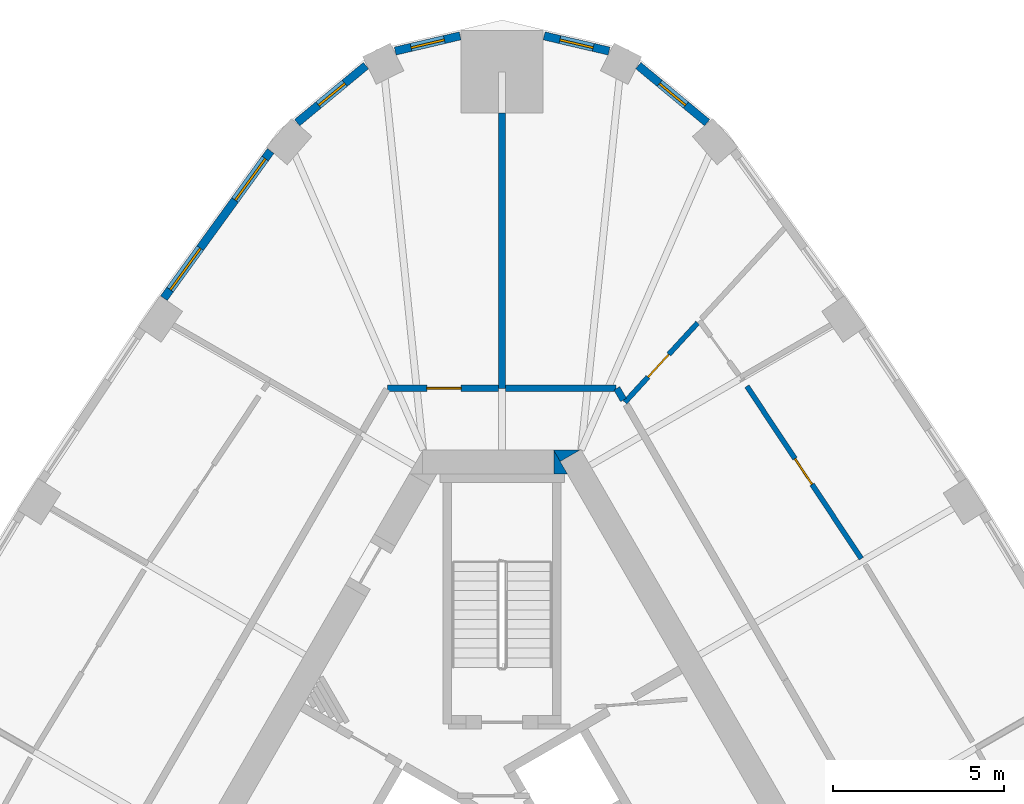
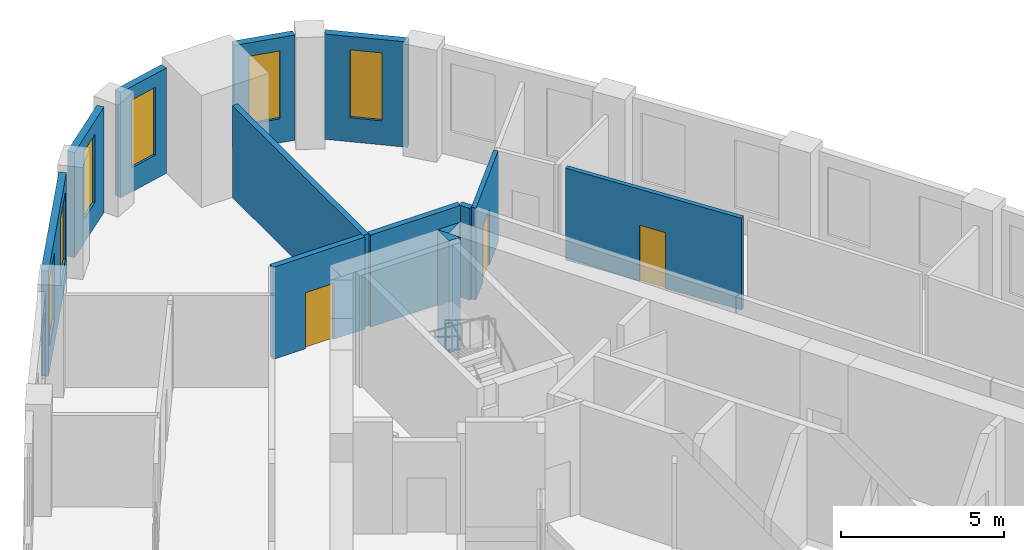
# One storey, part 8 of 11: 13 walls, 6 windows, 3 doors, 9 openings.
"""IFC4 building model written with IfcOpenShell, lengths in metres."""

from ifc_helpers import new_model, si_unit, direction, frame, frame_2d, origin, place, context, subcontext, project, spatial, polyline, rectangle, outline, extrude, material, layer, layer_set, type_object, element, fill, save


model = new_model("IFC4")

# Units and contexts
model_context = context("Model", 3, precision=1e-05, world=origin(), true_north=direction((0.0, 1.0)))
body_context = subcontext(model_context, "Body", "Model", "MODEL_VIEW")
ifc_project = project(units=[si_unit("LENGTHUNIT", "METRE"), si_unit("AREAUNIT", "SQUARE_METRE"), si_unit("VOLUMEUNIT", "CUBIC_METRE"), si_unit("PLANEANGLEUNIT", "RADIAN"), si_unit("MASSUNIT", "GRAM", prefix="KILO")], contexts=[model_context])

# Site, building, storey
site_placement = place(None, origin())
site = spatial("IfcSite", under=ifc_project, at=site_placement, CompositionType="ELEMENT")
building_placement = place(site_placement, origin())
building = spatial("IfcBuilding", under=site, at=building_placement, Name="Mestral Congress Tower", CompositionType="ELEMENT")
storey_placement = place(building_placement, frame((0.0, 0.0, 201.60009765625)))
storey = spatial("IfcBuildingStorey", under=building, at=storey_placement, Name="L47", CompositionType="ELEMENT", Elevation=201.60009765625)

# Walls
ifc_material_1 = material(Name="Concrete C60/75", Category="concrete")
ifc_layer_1 = layer(ifc_material_1, 0.699951171875)
ifc_layer_set_1 = layer_set([ifc_layer_1], Name="Concrete C60/75")
wall_type_1 = type_object("IfcWallType", Name="Core wall RC 700", PredefinedType="SOLIDWALL", material=ifc_layer_set_1)
placement = place(storey_placement, origin())
element("IfcWall", 1, at=placement, inside=storey, type_object=wall_type_1, Name="L47 core wall", PredefinedType="SOLIDWALL", context=body_context, shape_type="SweptSolid", body=[
    extrude(outline(polyline([(1.501220703125, 16.699951171875), (2.277099609375, 16.699951171875), (1.695068359375, 16.364013671875), (1.501220703125, 16.699951171875)])), origin(), (0.0, 0.0, 1.0), 4.199951171875),
])
element("IfcWall", 2, at=placement, inside=storey, type_object=wall_type_1, Name="L47 core wall", PredefinedType="SOLIDWALL", context=body_context, shape_type="SweptSolid", body=[
    extrude(outline(polyline([(1.9052734375, 16.0), (1.50732421875, 16.0), (1.50732421875, 16.689208984375), (1.9052734375, 16.0)])), origin(), (0.0, 0.0, 1.0), 4.199951171875),
])

# Wall, opening, window
ifc_material_2 = material(Name="Precast concrete C40/50 with limestone facing", Category="masonry")
ifc_layer_2 = layer(ifc_material_2, 0.239990234375)
ifc_layer_set_2 = layer_set([ifc_layer_2], Name="Precast concrete C40/50 with limestone facing")
wall_type_2 = type_object("IfcWallType", Name="Facade stone wall 240", PredefinedType="SOLIDWALL", material=ifc_layer_set_2)
wall_3_placement = place(storey_placement, frame((5.986572265625, 26.259033203125, 0.0), z_axis=(0.0, 0.0, 1.0), x_axis=(-0.769990037733, 0.638055908045, 0.0)))
wall_3 = element("IfcWall", 3, at=wall_3_placement, inside=storey, type_object=wall_type_2, Name="Facade wall K1-0", PredefinedType="SOLIDWALL", context=body_context, shape_type="SweptSolid", body=[
    extrude(rectangle(XDim=2.609130859375, YDim=0.239990234375, at=frame_2d((1.3046875, 0.0))), origin(), (0.0, 0.0, 1.0), 3.949951171875),
])
opening_1_placement = place(wall_3_placement, frame((0.8046875, 0.0, 0.89990234375)))
opening_1 = element("IfcOpeningElement", 4, at=opening_1_placement, cuts=wall_3, Name="Opening W5", PredefinedType="OPENING", context=body_context, shape_type="SweptSolid", body=[
    extrude(rectangle(XDim=1.0, YDim=2.550048828125, at=frame_2d((0.5, 1.27490234375))), frame((0.0, 0.1298828125, 0.0), z_axis=(0.0, -1.0, 0.0), x_axis=(1.0, 0.0, 0.0)), (0.0, 0.0, 1.0), 0.260009765625),
])
ifc_material_3 = material(Name="Clear low-emissivity double glazing", Category="glass")
window_type_1 = type_object("IfcWindowType", Name="Facade punched window 1000 x 2550 sill 900", PartitioningType="SINGLE_PANEL", PredefinedType="WINDOW", material=ifc_material_3)
window_1_placement = place(opening_1_placement, origin())
window_1 = element("IfcWindow", 5, at=window_1_placement, inside=storey, type_object=window_type_1, Name="Window K1-0", OverallHeight=2.550048828125, OverallWidth=1.0, PartitioningType="SINGLE_PANEL", PredefinedType="WINDOW", context=body_context, shape_type="SweptSolid", body=[
    extrude(rectangle(XDim=1.0, YDim=2.550048828125, at=frame_2d((0.5, 1.27490234375))), frame((0.0, 0.0400390625, 0.0), z_axis=(0.0, -1.0, 0.0), x_axis=(1.0, 0.0, 0.0)), (0.0, 0.0, 1.0), 0.06005859375),
])
fill(opening_1, window_1)

wall_4_placement = place(storey_placement, frame((3.123046875, 28.3486328125, 0.0), z_axis=(0.0, 0.0, 1.0), x_axis=(-0.973515706272, 0.228620142686, 0.0)))
wall_4 = element("IfcWall", 6, at=wall_4_placement, inside=storey, type_object=wall_type_2, Name="Facade wall K1-1", PredefinedType="SOLIDWALL", context=body_context, shape_type="SweptSolid", body=[
    extrude(rectangle(XDim=1.94775390625, YDim=0.239990234375, at=frame_2d((0.973876953125, 0.0))), origin(), (0.0, 0.0, 1.0), 3.949951171875),
])
opening_2_placement = place(wall_4_placement, frame((0.47412109375, 0.0, 0.89990234375)))
opening_2 = element("IfcOpeningElement", 7, at=opening_2_placement, cuts=wall_4, Name="Opening W5", PredefinedType="OPENING", context=body_context, shape_type="SweptSolid", body=[
    extrude(rectangle(XDim=1.0, YDim=2.550048828125, at=frame_2d((0.5, 1.27490234375))), frame((0.0, 0.1298828125, 0.0), z_axis=(0.0, -1.0, 0.0), x_axis=(1.0, 0.0, 0.0)), (0.0, 0.0, 1.0), 0.260009765625),
])
window_2_placement = place(opening_2_placement, origin())
window_2 = element("IfcWindow", 8, at=window_2_placement, inside=storey, type_object=window_type_1, Name="Window K1-1", OverallHeight=2.550048828125, OverallWidth=1.0, PartitioningType="SINGLE_PANEL", PredefinedType="WINDOW", context=body_context, shape_type="SweptSolid", body=[
    extrude(rectangle(XDim=1.0, YDim=2.550048828125, at=frame_2d((0.5, 1.27490234375))), frame((0.0, 0.0400390625, 0.0), z_axis=(0.0, -1.0, 0.0), x_axis=(1.0, 0.0, 0.0)), (0.0, 0.0, 1.0), 0.06005859375),
])
fill(opening_2, window_2)

wall_5_placement = place(storey_placement, frame((-1.226806640625, 28.7939453125, 0.0), z_axis=(0.0, 0.0, 1.0), x_axis=(-0.973515706272, -0.228620142686, 0.0)))
wall_5 = element("IfcWall", 9, at=wall_5_placement, inside=storey, type_object=wall_type_2, Name="Facade wall K1-2", PredefinedType="SOLIDWALL", context=body_context, shape_type="SweptSolid", body=[
    extrude(rectangle(XDim=1.94775390625, YDim=0.239990234375, at=frame_2d((0.973876953125, 0.0))), origin(), (0.0, 0.0, 1.0), 3.949951171875),
])
opening_3_placement = place(wall_5_placement, frame((0.47412109375, 0.0, 0.89990234375)))
opening_3 = element("IfcOpeningElement", 10, at=opening_3_placement, cuts=wall_5, Name="Opening W5", PredefinedType="OPENING", context=body_context, shape_type="SweptSolid", body=[
    extrude(rectangle(XDim=1.0, YDim=2.550048828125, at=frame_2d((0.5, 1.27490234375))), frame((0.0, 0.1298828125, 0.0), z_axis=(0.0, -1.0, 0.0), x_axis=(1.0, 0.0, 0.0)), (0.0, 0.0, 1.0), 0.260009765625),
])
window_3_placement = place(opening_3_placement, origin())
window_3 = element("IfcWindow", 11, at=window_3_placement, inside=storey, type_object=window_type_1, Name="Window K1-2", OverallHeight=2.550048828125, OverallWidth=1.0, PartitioningType="SINGLE_PANEL", PredefinedType="WINDOW", context=body_context, shape_type="SweptSolid", body=[
    extrude(rectangle(XDim=1.0, YDim=2.550048828125, at=frame_2d((0.5, 1.27490234375))), frame((0.0, 0.0400390625, 0.0), z_axis=(0.0, -1.0, 0.0), x_axis=(1.0, 0.0, 0.0)), (0.0, 0.0, 1.0), 0.06005859375),
])
fill(opening_3, window_3)

wall_6_placement = place(storey_placement, frame((-3.9775390625, 27.923828125, 0.0), z_axis=(0.0, 0.0, 1.0), x_axis=(-0.769990037733, -0.638055908045, 0.0)))
wall_6 = element("IfcWall", 12, at=wall_6_placement, inside=storey, type_object=wall_type_2, Name="Facade wall K1-3", PredefinedType="SOLIDWALL", context=body_context, shape_type="SweptSolid", body=[
    extrude(rectangle(XDim=2.609130859375, YDim=0.239990234375, at=frame_2d((1.3046875, 0.0))), origin(), (0.0, 0.0, 1.0), 3.949951171875),
])
opening_4_placement = place(wall_6_placement, frame((0.8046875, 0.0, 0.89990234375)))
opening_4 = element("IfcOpeningElement", 13, at=opening_4_placement, cuts=wall_6, Name="Opening W5", PredefinedType="OPENING", context=body_context, shape_type="SweptSolid", body=[
    extrude(rectangle(XDim=1.0, YDim=2.550048828125, at=frame_2d((0.5, 1.27490234375))), frame((0.0, 0.1298828125, 0.0), z_axis=(0.0, -1.0, 0.0), x_axis=(1.0, 0.0, 0.0)), (0.0, 0.0, 1.0), 0.260009765625),
])
window_4_placement = place(opening_4_placement, origin())
window_4 = element("IfcWindow", 14, at=window_4_placement, inside=storey, type_object=window_type_1, Name="Window K1-3", OverallHeight=2.550048828125, OverallWidth=1.0, PartitioningType="SINGLE_PANEL", PredefinedType="WINDOW", context=body_context, shape_type="SweptSolid", body=[
    extrude(rectangle(XDim=1.0, YDim=2.550048828125, at=frame_2d((0.5, 1.27490234375))), frame((0.0, 0.0400390625, 0.0), z_axis=(0.0, -1.0, 0.0), x_axis=(1.0, 0.0, 0.0)), (0.0, 0.0, 1.0), 0.06005859375),
])
fill(opening_4, window_4)

# Wall, openings, windows
wall_7_placement = place(storey_placement, frame((-6.760986328125, 25.431884765625, 0.0), z_axis=(0.0, 0.0, 1.0), x_axis=(-0.586998456641, -0.80958805074, 0.0)))
wall_7 = element("IfcWall", 15, at=wall_7_placement, inside=storey, type_object=wall_type_2, Name="Facade wall F2-00", PredefinedType="SOLIDWALL", context=body_context, shape_type="SweptSolid", body=[
    extrude(rectangle(XDim=5.310791015625, YDim=0.239990234375, at=frame_2d((2.6552734375, 0.0))), origin(), (0.0, 0.0, 1.0), 3.949951171875),
])
opening_5_placement = place(wall_7_placement, frame((0.271484375, 0.0, 0.89990234375)))
opening_5 = element("IfcOpeningElement", 16, at=opening_5_placement, cuts=wall_7, Name="Opening W4", PredefinedType="OPENING", context=body_context, shape_type="SweptSolid", body=[
    extrude(rectangle(XDim=1.5, YDim=2.550048828125, at=frame_2d((0.75, 1.27490234375))), frame((0.0, 0.1298828125, 0.0), z_axis=(0.0, -1.0, 0.0), x_axis=(1.0, 0.0, 0.0)), (0.0, 0.0, 1.0), 0.260009765625),
])
opening_6_placement = place(wall_7_placement, frame((3.50439453125, 0.0, 0.89990234375)))
opening_6 = element("IfcOpeningElement", 17, at=opening_6_placement, cuts=wall_7, Name="Opening W4", PredefinedType="OPENING", context=body_context, shape_type="SweptSolid", body=[
    extrude(rectangle(XDim=1.5, YDim=2.550048828125, at=frame_2d((0.75, 1.27490234375))), frame((0.0, 0.1298828125, 0.0), z_axis=(0.0, -1.0, 0.0), x_axis=(1.0, 0.0, 0.0)), (0.0, 0.0, 1.0), 0.260009765625),
])
window_type_2 = type_object("IfcWindowType", Name="Facade punched window 1500 x 2550 sill 900", PartitioningType="SINGLE_PANEL", PredefinedType="WINDOW", material=ifc_material_3)
window_5_placement = place(opening_5_placement, origin())
window_5 = element("IfcWindow", 18, at=window_5_placement, inside=storey, type_object=window_type_2, Name="Window F2-00a", OverallHeight=2.550048828125, OverallWidth=1.5, PartitioningType="SINGLE_PANEL", PredefinedType="WINDOW", context=body_context, shape_type="SweptSolid", body=[
    extrude(rectangle(XDim=1.5, YDim=2.550048828125, at=frame_2d((0.75, 1.27490234375))), frame((0.0, 0.0400390625, 0.0), z_axis=(0.0, -1.0, 0.0), x_axis=(1.0, 0.0, 0.0)), (0.0, 0.0, 1.0), 0.06005859375),
])
fill(opening_5, window_5)
window_6_placement = place(opening_6_placement, origin())
window_6 = element("IfcWindow", 19, at=window_6_placement, inside=storey, type_object=window_type_2, Name="Window F2-00b", OverallHeight=2.550048828125, OverallWidth=1.5, PartitioningType="SINGLE_PANEL", PredefinedType="WINDOW", context=body_context, shape_type="SweptSolid", body=[
    extrude(rectangle(XDim=1.5, YDim=2.550048828125, at=frame_2d((0.75, 1.27490234375))), frame((0.0, 0.0400390625, 0.0), z_axis=(0.0, -1.0, 0.0), x_axis=(1.0, 0.0, 0.0)), (0.0, 0.0, 1.0), 0.06005859375),
])
fill(opening_6, window_6)

# Wall, opening, door
ifc_material_4 = material(Name="Plasterboard partition on steel studs", Category="steel")
ifc_layer_3 = layer(ifc_material_4, 0.14990234375)
ifc_layer_set_3 = layer_set([ifc_layer_3], Name="Plasterboard partition on steel studs")
wall_type_3 = type_object("IfcWallType", Name="Office partition 150", PredefinedType="PARTITIONING", material=ifc_layer_set_3)
wall_8_placement = place(storey_placement, frame((7.148193359375, 18.560791015625, 0.0), z_axis=(0.0, 0.0, 1.0), x_axis=(0.552890023891, -0.833254235802, 0.0)))
wall_8 = element("IfcWall", 20, at=wall_8_placement, inside=storey, type_object=wall_type_3, Name="Partition", PredefinedType="PARTITIONING", context=body_context, shape_type="SweptSolid", body=[
    extrude(rectangle(XDim=6.04248046875, YDim=0.14990234375, at=frame_2d((3.021240234375, 0.0))), origin(), (0.0, 0.0, 1.0), 3.449951171875),
])
opening_7_placement = place(wall_8_placement, frame((2.54248046875, 0.0, 0.0)))
opening_7 = element("IfcOpeningElement", 21, at=opening_7_placement, cuts=wall_8, Name="Opening O06-007", PredefinedType="OPENING", context=body_context, shape_type="SweptSolid", body=[
    extrude(rectangle(XDim=0.89990234375, YDim=2.10009765625, at=frame_2d((0.449951171875, 1.050048828125))), frame((0.0, 0.0849609375, 0.0), z_axis=(0.0, -1.0, 0.0), x_axis=(1.0, 0.0, 0.0)), (0.0, 0.0, 1.0), 0.169921875),
])
ifc_material_5 = material(Name="Timber door set", Category="wood")
door_type_1 = type_object("IfcDoorType", Name="Office door 900x2100", OperationType="SINGLE_SWING_LEFT", PredefinedType="DOOR", material=ifc_material_5)
door_1_placement = place(opening_7_placement, origin())
door_1 = element("IfcDoor", 22, at=door_1_placement, inside=storey, type_object=door_type_1, Name="Door O06-007", OperationType="SINGLE_SWING_LEFT", OverallHeight=2.10009765625, OverallWidth=0.89990234375, PredefinedType="DOOR", context=body_context, shape_type="SweptSolid", body=[
    extrude(rectangle(XDim=0.89990234375, YDim=2.10009765625, at=frame_2d((0.449951171875, 1.050048828125))), frame((0.0, 0.02490234375, 0.0), z_axis=(0.0, -1.0, 0.0), x_axis=(1.0, 0.0, 0.0)), (0.0, 0.0, 1.0), 0.050048828125),
])
fill(opening_7, door_1)

wall_9_placement = place(storey_placement, frame((3.584716796875, 18.09130859375, 0.0), z_axis=(0.0, 0.0, 1.0), x_axis=(0.675657922277, 0.737215282034, 0.0)))
wall_9 = element("IfcWall", 23, at=wall_9_placement, inside=storey, type_object=wall_type_3, Name="Partition", PredefinedType="PARTITIONING", context=body_context, shape_type="SweptSolid", body=[
    extrude(rectangle(XDim=3.149169921875, YDim=0.14990234375, at=frame_2d((1.57470703125, 0.0))), origin(), (0.0, 0.0, 1.0), 3.449951171875),
])
opening_8_placement = place(wall_9_placement, frame((1.0, 0.0, 0.0)))
opening_8 = element("IfcOpeningElement", 24, at=opening_8_placement, cuts=wall_9, Name="Opening O06-010", PredefinedType="OPENING", context=body_context, shape_type="SweptSolid", body=[
    extrude(rectangle(XDim=0.89990234375, YDim=2.10009765625, at=frame_2d((0.449951171875, 1.050048828125))), frame((0.0, 0.0849609375, 0.0), z_axis=(0.0, -1.0, 0.0), x_axis=(1.0, 0.0, 0.0)), (0.0, 0.0, 1.0), 0.169921875),
])
door_2_placement = place(opening_8_placement, origin())
door_2 = element("IfcDoor", 25, at=door_2_placement, inside=storey, type_object=door_type_1, Name="Door O06-010", OperationType="SINGLE_SWING_LEFT", OverallHeight=2.10009765625, OverallWidth=0.89990234375, PredefinedType="DOOR", context=body_context, shape_type="SweptSolid", body=[
    extrude(rectangle(XDim=0.89990234375, YDim=2.10009765625, at=frame_2d((0.449951171875, 1.050048828125))), frame((0.0, 0.02490234375, 0.0), z_axis=(0.0, -1.0, 0.0), x_axis=(1.0, 0.0, 0.0)), (0.0, 0.0, 1.0), 0.050048828125),
])
fill(opening_8, door_2)

# Walls
ifc_material_6 = material(Name="Dense masonry wall, plastered", Category="masonry")
ifc_layer_4 = layer(ifc_material_6, 0.199951171875)
ifc_layer_set_4 = layer_set([ifc_layer_4], Name="Dense masonry wall, plastered")
wall_type_4 = type_object("IfcWallType", Name="Office tenancy wall 200", PredefinedType="PARTITIONING", material=ifc_layer_set_4)
wall_10_placement = place(storey_placement, frame((0.0, 18.5, 0.0), z_axis=(0.0, 0.0, 1.0), x_axis=(0.0, 1.0, 0.0)))
element("IfcWall", 26, at=wall_10_placement, inside=storey, type_object=wall_type_4, Name="Tenancy wall", PredefinedType="PARTITIONING", context=body_context, shape_type="SweptSolid", body=[
    extrude(rectangle(XDim=8.04443359375, YDim=0.199951171875, at=frame_2d((4.022216796875, 0.0))), origin(), (0.0, 0.0, 1.0), 3.449951171875),
])
wall_11_placement = place(storey_placement, frame((3.54541015625, 18.159423828125, 0.0), z_axis=(0.0, 0.0, 1.0), x_axis=(-0.500277597875, 0.865865073245, 0.0)))
element("IfcWall", 27, at=wall_11_placement, inside=storey, type_object=wall_type_4, Name="Tenancy wall", PredefinedType="PARTITIONING", context=body_context, shape_type="SweptSolid", body=[
    extrude(rectangle(XDim=0.393310546875, YDim=0.199951171875, at=frame_2d((0.19677734375, 0.0))), origin(), (0.0, 0.0, 1.0), 3.449951171875),
])
wall_12_placement = place(storey_placement, frame((3.318603515625, 18.5, 0.0), z_axis=(0.0, 0.0, 1.0), x_axis=(-1.0, 0.0, 0.0)))
element("IfcWall", 28, at=wall_12_placement, inside=storey, type_object=wall_type_4, Name="Tenancy wall", PredefinedType="PARTITIONING", context=body_context, shape_type="SweptSolid", body=[
    extrude(rectangle(XDim=3.218505859375, YDim=0.199951171875, at=frame_2d((1.609375, 0.0))), origin(), (0.0, 0.0, 1.0), 3.449951171875),
])

# Wall, opening, door
wall_13_placement = place(storey_placement, frame((-0.10009765625, 18.5, 0.0), z_axis=(0.0, 0.0, 1.0), x_axis=(-1.0, 0.0, 0.0)))
wall_13 = element("IfcWall", 29, at=wall_13_placement, inside=storey, type_object=wall_type_4, Name="Tenancy wall", PredefinedType="PARTITIONING", context=body_context, shape_type="SweptSolid", body=[
    extrude(rectangle(XDim=3.24853515625, YDim=0.199951171875, at=frame_2d((1.624267578125, 0.0))), origin(), (0.0, 0.0, 1.0), 3.449951171875),
])
opening_9_placement = place(wall_13_placement, frame((1.10009765625, 0.0, 0.0)))
opening_9 = element("IfcOpeningElement", 30, at=opening_9_placement, cuts=wall_13, Name="Opening O06-011", PredefinedType="OPENING", context=body_context, shape_type="SweptSolid", body=[
    extrude(rectangle(XDim=1.0, YDim=2.10009765625, at=frame_2d((0.5, 1.050048828125))), frame((0.0, 0.10986328125, 0.0), z_axis=(0.0, -1.0, 0.0), x_axis=(1.0, 0.0, 0.0)), (0.0, 0.0, 1.0), 0.219970703125),
])
ifc_material_7 = material(Name="Fire-rated timber door set", Category="wood")
door_type_2 = type_object("IfcDoorType", Name="Office tenancy entrance door 1000x2100", OperationType="SINGLE_SWING_LEFT", PredefinedType="DOOR", material=ifc_material_7)
door_3_placement = place(opening_9_placement, origin())
door_3 = element("IfcDoor", 31, at=door_3_placement, inside=storey, type_object=door_type_2, Name="Door O06-011", OperationType="SINGLE_SWING_LEFT", OverallHeight=2.10009765625, OverallWidth=1.0, PredefinedType="DOOR", context=body_context, shape_type="SweptSolid", body=[
    extrude(rectangle(XDim=1.0, YDim=2.10009765625, at=frame_2d((0.5, 1.050048828125))), frame((0.0, 0.02490234375, 0.0), z_axis=(0.0, -1.0, 0.0), x_axis=(1.0, 0.0, 0.0)), (0.0, 0.0, 1.0), 0.050048828125),
])
fill(opening_9, door_3)

save(model, "model.ifc")
